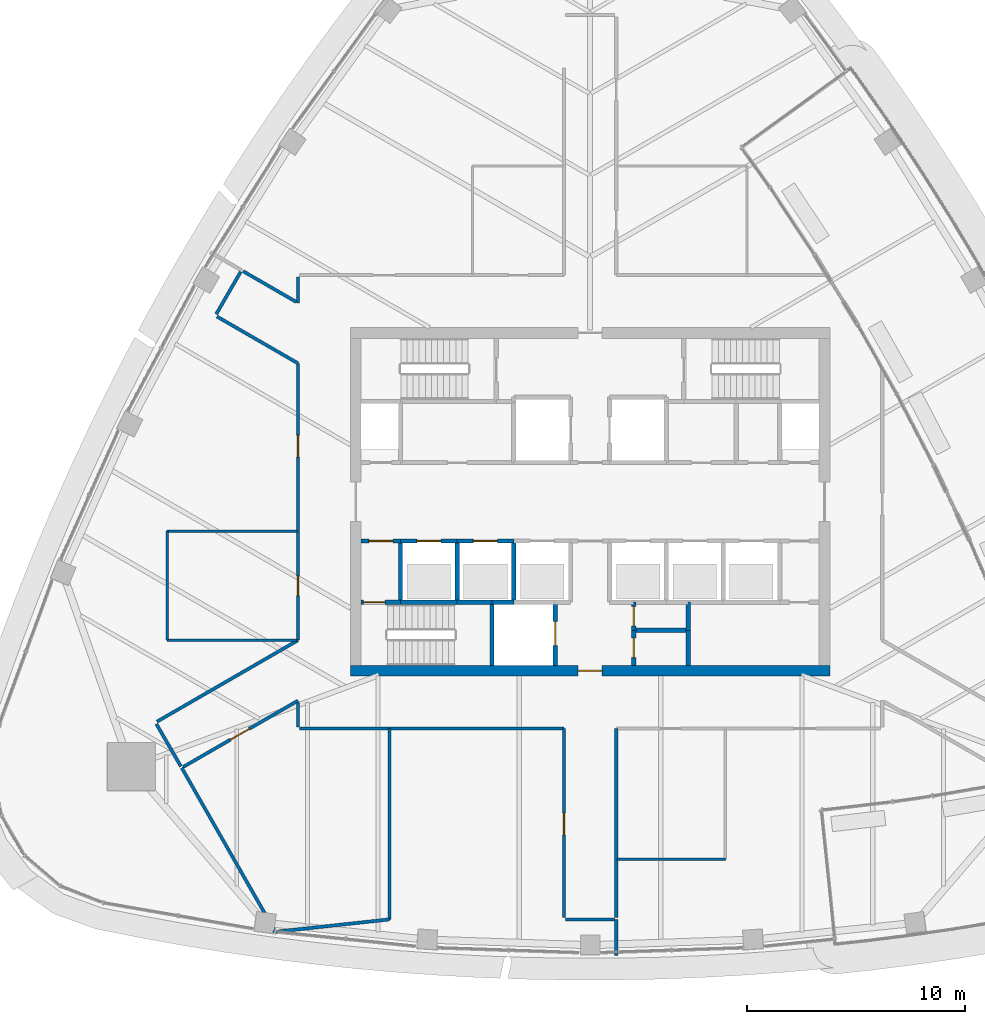
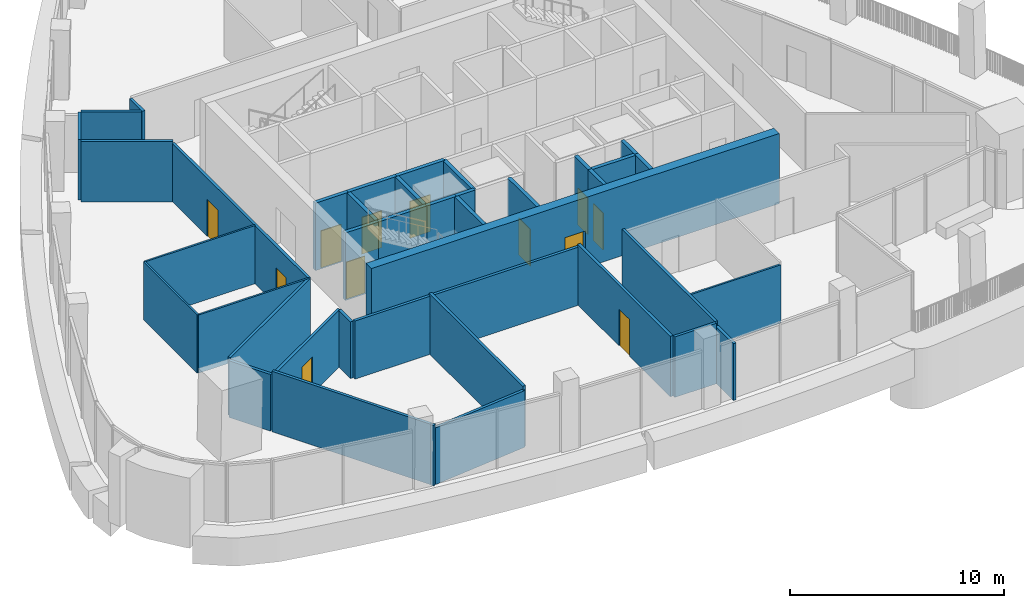
# One storey, part 11 of 20: 40 walls, 12 doors, 12 openings.
"""IFC4 building model written with IfcOpenShell, lengths in metres."""

from ifc_helpers import new_model, si_unit, direction, frame, frame_2d, origin, place, context, subcontext, project, spatial, rectangle, extrude, material, layer, layer_set, type_object, element, fill, save


model = new_model("IFC4")

# Units and contexts
model_context = context("Model", 3, precision=1e-05, world=origin(), true_north=direction((0.0, 1.0)))
body_context = subcontext(model_context, "Body", "Model", "MODEL_VIEW")
ifc_project = project(units=[si_unit("LENGTHUNIT", "METRE"), si_unit("AREAUNIT", "SQUARE_METRE"), si_unit("VOLUMEUNIT", "CUBIC_METRE"), si_unit("PLANEANGLEUNIT", "RADIAN"), si_unit("MASSUNIT", "GRAM", prefix="KILO")], contexts=[model_context])

# Site, building, storey
site_placement = place(None, origin())
site = spatial("IfcSite", under=ifc_project, at=site_placement, CompositionType="ELEMENT")
building_placement = place(site_placement, origin())
building = spatial("IfcBuilding", under=site, at=building_placement, Name="Sierra Prisma Convention Tower", CompositionType="ELEMENT")
storey_placement = place(building_placement, frame((0.0, 0.0, 275.0)))
storey = spatial("IfcBuildingStorey", under=building, at=storey_placement, Name="L62", CompositionType="ELEMENT", Elevation=275.0)

# Walls
ifc_material_1 = material(Name="Gypsum board partition", Category="gypsum")
ifc_layer_1 = layer(ifc_material_1, 0.10009765625)
ifc_layer_set_1 = layer_set([ifc_layer_1], Name="Bathroom partition 100")
wall_type_1 = type_object("IfcWallType", Name="Bathroom partition 100", PredefinedType="PARTITIONING", material=ifc_layer_set_1)
wall_1_placement = place(storey_placement, frame((-13.4599609375, -6.350830078125, 0.0), z_axis=(0.0, 0.0, 1.0), x_axis=(-1.0, 0.0, 0.0)))
element("IfcWall", 1, at=wall_1_placement, inside=storey, type_object=wall_type_1, Name="Partition L62 bath 1", PredefinedType="PARTITIONING", context=body_context, shape_type="SweptSolid", body=[
    extrude(rectangle(XDim=5.93994140625, YDim=0.10009765625, at=frame_2d((2.969970703125, 0.0))), origin(), (0.0, 0.0, 1.0), 3.31689453125),
])
wall_2_placement = place(storey_placement, frame((-19.39990234375, -6.350830078125, 0.0), z_axis=(0.0, 0.0, 1.0), x_axis=(0.0, 1.0, 0.0)))
element("IfcWall", 2, at=wall_2_placement, inside=storey, type_object=wall_type_1, Name="Partition L62 bath 2", PredefinedType="PARTITIONING", context=body_context, shape_type="SweptSolid", body=[
    extrude(rectangle(XDim=5.0, YDim=0.10009765625, at=frame_2d((2.5, 0.0))), origin(), (0.0, 0.0, 1.0), 3.31689453125),
])
wall_3_placement = place(storey_placement, frame((-19.39990234375, -1.350830078125, 0.0), z_axis=(0.0, 0.0, 1.0), x_axis=(1.0, 0.0, 0.0)))
element("IfcWall", 3, at=wall_3_placement, inside=storey, type_object=wall_type_1, Name="Partition L62 bath 3", PredefinedType="PARTITIONING", context=body_context, shape_type="SweptSolid", body=[
    extrude(rectangle(XDim=5.969970703125, YDim=0.10009765625, at=frame_2d((2.98486328125, 0.0))), origin(), (0.0, 0.0, 1.0), 3.31689453125),
])
wall_4_placement = place(storey_placement, frame((6.199951171875, -16.39990234375, 0.0), z_axis=(0.0, 0.0, 1.0), x_axis=(-1.0, 0.0, 0.0)))
element("IfcWall", 4, at=wall_4_placement, inside=storey, type_object=wall_type_1, Name="Partition L62 bath 7", PredefinedType="PARTITIONING", context=body_context, shape_type="SweptSolid", body=[
    extrude(rectangle(XDim=4.969970703125, YDim=0.10009765625, at=frame_2d((2.48486328125, 0.0))), origin(), (0.0, 0.0, 1.0), 3.31689453125),
])

# Wall, opening, door
ifc_material_2 = material(Name="Concrete C30/37", Category="concrete")
ifc_layer_2 = layer(ifc_material_2, 0.199951171875)
ifc_layer_set_2 = layer_set([ifc_layer_2], Name="Core wall RC 200 C30/37")
wall_type_2 = type_object("IfcWallType", Name="Core wall RC 200 C30/37", PredefinedType="SOLIDWALL", material=ifc_layer_set_2)
wall_5_placement = place(storey_placement, frame((-10.5, -4.60009765625, 0.0), z_axis=(0.0, 0.0, 1.0), x_axis=(1.0, 0.0, 0.0)))
wall_5 = element("IfcWall", 5, at=wall_5_placement, inside=storey, type_object=wall_type_2, Name="Core wall L62 1", PredefinedType="SOLIDWALL", context=body_context, shape_type="SweptSolid", body=[
    extrude(rectangle(XDim=1.800048828125, YDim=0.199951171875, at=frame_2d((0.89990234375, 0.0))), origin(), (0.0, 0.0, 1.0), 3.85009765625),
])
opening_1_placement = place(wall_5_placement, frame((0.10009765625, 0.0, 0.0)))
opening_1 = element("IfcOpeningElement", 6, at=opening_1_placement, cuts=wall_5, Name="Opening L62-D017", PredefinedType="OPENING", context=body_context, shape_type="SweptSolid", body=[
    extrude(rectangle(XDim=1.0, YDim=2.10009765625, at=frame_2d((0.5, 1.050048828125))), frame((0.0, 0.10009765625, 0.0), z_axis=(0.0, -1.0, 0.0), x_axis=(1.0, 0.0, 0.0)), (0.0, 0.0, 1.0), 0.199951171875),
])
ifc_material_3 = material(Name="Steel fire door leaf", Category="steel")
door_type_1 = type_object("IfcDoorType", Name="Door 1000x2100 FD90S", OperationType="SINGLE_SWING_LEFT", PredefinedType="DOOR", material=ifc_material_3)
door_1_placement = place(opening_1_placement, origin())
door_1 = element("IfcDoor", 7, at=door_1_placement, inside=storey, type_object=door_type_1, Name="Door L62 26", OperationType="SINGLE_SWING_LEFT", OverallHeight=2.10009765625, OverallWidth=1.0, PredefinedType="DOOR", context=body_context, shape_type="SweptSolid", body=[
    extrude(rectangle(XDim=1.0, YDim=2.10009765625, at=frame_2d((0.5, 1.050048828125))), frame((0.0, 0.02490234375, 0.0), z_axis=(0.0, -1.0, 0.0), x_axis=(1.0, 0.0, 0.0)), (0.0, 0.0, 1.0), 0.050048828125),
])
fill(opening_1, door_1)

wall_6_placement = place(storey_placement, frame((-10.5, -1.800048828125, 0.0), z_axis=(0.0, 0.0, 1.0), x_axis=(1.0, 0.0, 0.0)))
wall_6 = element("IfcWall", 8, at=wall_6_placement, inside=storey, type_object=wall_type_2, Name="Core wall L62 2", PredefinedType="SOLIDWALL", context=body_context, shape_type="SweptSolid", body=[
    extrude(rectangle(XDim=1.800048828125, YDim=0.199951171875, at=frame_2d((0.89990234375, 0.0))), origin(), (0.0, 0.0, 1.0), 3.85009765625),
])
opening_2_placement = place(wall_6_placement, frame((0.35009765625, 0.0, 0.0)))
opening_2 = element("IfcOpeningElement", 9, at=opening_2_placement, cuts=wall_6, Name="Opening L62-D012", PredefinedType="OPENING", context=body_context, shape_type="SweptSolid", body=[
    extrude(rectangle(XDim=1.10009765625, YDim=2.10009765625, at=frame_2d((0.550048828125, 1.050048828125))), frame((0.0, 0.10009765625, 0.0), z_axis=(0.0, -1.0, 0.0), x_axis=(1.0, 0.0, 0.0)), (0.0, 0.0, 1.0), 0.199951171875),
])
ifc_material_4 = material(Name="Steel fire door leaf", Category="steel")
door_type_2 = type_object("IfcDoorType", Name="Door 1100x2100 FD90S", OperationType="SINGLE_SWING_LEFT", PredefinedType="DOOR", material=ifc_material_4)
door_2_placement = place(opening_2_placement, origin())
door_2 = element("IfcDoor", 10, at=door_2_placement, inside=storey, type_object=door_type_2, Name="Door L62 21", OperationType="SINGLE_SWING_LEFT", OverallHeight=2.10009765625, OverallWidth=1.10009765625, PredefinedType="DOOR", context=body_context, shape_type="SweptSolid", body=[
    extrude(rectangle(XDim=1.10009765625, YDim=2.10009765625, at=frame_2d((0.550048828125, 1.050048828125))), frame((0.0, 0.02490234375, 0.0), z_axis=(0.0, -1.0, 0.0), x_axis=(1.0, 0.0, 0.0)), (0.0, 0.0, 1.0), 0.050048828125),
])
fill(opening_2, door_2)

# Walls
wall_7_placement = place(storey_placement, frame((-8.699951171875, -4.60009765625, 0.0), z_axis=(0.0, 0.0, 1.0), x_axis=(1.0, 0.0, 0.0)))
element("IfcWall", 11, at=wall_7_placement, inside=storey, type_object=wall_type_2, Name="Core wall L62 5", PredefinedType="SOLIDWALL", context=body_context, shape_type="SweptSolid", body=[
    extrude(rectangle(XDim=2.599853515625, YDim=0.199951171875, at=frame_2d((1.2998046875, 0.0))), origin(), (0.0, 0.0, 1.0), 3.85009765625),
])
wall_8_placement = place(storey_placement, frame((-8.699951171875, -4.60009765625, 0.0), z_axis=(0.0, 0.0, 1.0), x_axis=(0.0, 1.0, 0.0)))
element("IfcWall", 12, at=wall_8_placement, inside=storey, type_object=wall_type_2, Name="Core wall L62 6", PredefinedType="SOLIDWALL", context=body_context, shape_type="SweptSolid", body=[
    extrude(rectangle(XDim=2.800048828125, YDim=0.199951171875, at=frame_2d((1.39990234375, 0.0))), origin(), (0.0, 0.0, 1.0), 3.85009765625),
])

# Wall, opening, door
wall_9_placement = place(storey_placement, frame((-8.699951171875, -1.800048828125, 0.0), z_axis=(0.0, 0.0, 1.0), x_axis=(1.0, 0.0, 0.0)))
wall_9 = element("IfcWall", 13, at=wall_9_placement, inside=storey, type_object=wall_type_2, Name="Core wall L62 7", PredefinedType="SOLIDWALL", context=body_context, shape_type="SweptSolid", body=[
    extrude(rectangle(XDim=2.599853515625, YDim=0.199951171875, at=frame_2d((1.2998046875, 0.0))), origin(), (0.0, 0.0, 1.0), 3.85009765625),
])
opening_3_placement = place(wall_9_placement, frame((0.75, 0.0, 0.0)))
opening_3 = element("IfcOpeningElement", 14, at=opening_3_placement, cuts=wall_9, Name="Opening L62-D003", PredefinedType="OPENING", context=body_context, shape_type="SweptSolid", body=[
    extrude(rectangle(XDim=1.10009765625, YDim=2.10009765625, at=frame_2d((0.550048828125, 1.050048828125))), frame((0.0, 0.10009765625, 0.0), z_axis=(0.0, -1.0, 0.0), x_axis=(1.0, 0.0, 0.0)), (0.0, 0.0, 1.0), 0.199951171875),
])
ifc_material_5 = material(Name="Steel fire door leaf", Category="steel")
door_type_3 = type_object("IfcDoorType", Name="Door 1100x2100 EI 90 sliding lift landing", OperationType="SLIDING_TO_LEFT", PredefinedType="DOOR", material=ifc_material_5)
door_3_placement = place(opening_3_placement, origin())
door_3 = element("IfcDoor", 15, at=door_3_placement, inside=storey, type_object=door_type_3, Name="Door L62 12", OperationType="SLIDING_TO_LEFT", OverallHeight=2.10009765625, OverallWidth=1.10009765625, PredefinedType="DOOR", context=body_context, shape_type="SweptSolid", body=[
    extrude(rectangle(XDim=1.10009765625, YDim=2.10009765625, at=frame_2d((0.550048828125, 1.050048828125))), frame((0.0, 0.02490234375, 0.0), z_axis=(0.0, -1.0, 0.0), x_axis=(1.0, 0.0, 0.0)), (0.0, 0.0, 1.0), 0.050048828125),
])
fill(opening_3, door_3)

# Walls
wall_10_placement = place(storey_placement, frame((-6.10009765625, -4.60009765625, 0.0), z_axis=(0.0, 0.0, 1.0), x_axis=(1.0, 0.0, 0.0)))
element("IfcWall", 16, at=wall_10_placement, inside=storey, type_object=wall_type_2, Name="Core wall L62 11", PredefinedType="SOLIDWALL", context=body_context, shape_type="SweptSolid", body=[
    extrude(rectangle(XDim=1.60009765625, YDim=0.199951171875, at=frame_2d((0.800048828125, 0.0))), origin(), (0.0, 0.0, 1.0), 3.85009765625),
])
wall_11_placement = place(storey_placement, frame((-6.10009765625, -4.60009765625, 0.0), z_axis=(0.0, 0.0, 1.0), x_axis=(0.0, 1.0, 0.0)))
element("IfcWall", 17, at=wall_11_placement, inside=storey, type_object=wall_type_2, Name="Core wall L62 12", PredefinedType="SOLIDWALL", context=body_context, shape_type="SweptSolid", body=[
    extrude(rectangle(XDim=2.800048828125, YDim=0.199951171875, at=frame_2d((1.39990234375, 0.0))), origin(), (0.0, 0.0, 1.0), 3.85009765625),
])

# Wall, opening, door
wall_12_placement = place(storey_placement, frame((-6.10009765625, -1.800048828125, 0.0), z_axis=(0.0, 0.0, 1.0), x_axis=(1.0, 0.0, 0.0)))
wall_12 = element("IfcWall", 18, at=wall_12_placement, inside=storey, type_object=wall_type_2, Name="Core wall L62 13", PredefinedType="SOLIDWALL", context=body_context, shape_type="SweptSolid", body=[
    extrude(rectangle(XDim=2.60009765625, YDim=0.199951171875, at=frame_2d((1.300048828125, 0.0))), origin(), (0.0, 0.0, 1.0), 3.85009765625),
])
opening_4_placement = place(wall_12_placement, frame((0.75, 0.0, 0.0)))
opening_4 = element("IfcOpeningElement", 19, at=opening_4_placement, cuts=wall_12, Name="Opening L62-D004", PredefinedType="OPENING", context=body_context, shape_type="SweptSolid", body=[
    extrude(rectangle(XDim=1.10009765625, YDim=2.10009765625, at=frame_2d((0.550048828125, 1.050048828125))), frame((0.0, 0.10009765625, 0.0), z_axis=(0.0, -1.0, 0.0), x_axis=(1.0, 0.0, 0.0)), (0.0, 0.0, 1.0), 0.199951171875),
])
door_4_placement = place(opening_4_placement, origin())
door_4 = element("IfcDoor", 20, at=door_4_placement, inside=storey, type_object=door_type_3, Name="Door L62 13", OperationType="SLIDING_TO_LEFT", OverallHeight=2.10009765625, OverallWidth=1.10009765625, PredefinedType="DOOR", context=body_context, shape_type="SweptSolid", body=[
    extrude(rectangle(XDim=1.10009765625, YDim=2.10009765625, at=frame_2d((0.550048828125, 1.050048828125))), frame((0.0, 0.02490234375, 0.0), z_axis=(0.0, -1.0, 0.0), x_axis=(1.0, 0.0, 0.0)), (0.0, 0.0, 1.0), 0.050048828125),
])
fill(opening_4, door_4)

# Walls
wall_13_placement = place(storey_placement, frame((-4.5, -4.60009765625, 0.0), z_axis=(0.0, 0.0, 1.0), x_axis=(0.0, -1.0, 0.0)))
element("IfcWall", 21, at=wall_13_placement, inside=storey, type_object=wall_type_2, Name="Core wall L62 14", PredefinedType="SOLIDWALL", context=body_context, shape_type="SweptSolid", body=[
    extrude(rectangle(XDim=2.89990234375, YDim=0.199951171875, at=frame_2d((1.449951171875, 0.0))), origin(), (0.0, 0.0, 1.0), 3.85009765625),
])
wall_14_placement = place(storey_placement, frame((-4.5, -4.60009765625, 0.0), z_axis=(0.0, 0.0, 1.0), x_axis=(1.0, 0.0, 0.0)))
element("IfcWall", 22, at=wall_14_placement, inside=storey, type_object=wall_type_2, Name="Core wall L62 15", PredefinedType="SOLIDWALL", context=body_context, shape_type="SweptSolid", body=[
    extrude(rectangle(XDim=1.0, YDim=0.199951171875, at=frame_2d((0.5, 0.0))), origin(), (0.0, 0.0, 1.0), 3.85009765625),
])
wall_15_placement = place(storey_placement, frame((-3.5, -4.60009765625, 0.0), z_axis=(0.0, 0.0, 1.0), x_axis=(0.0, 1.0, 0.0)))
element("IfcWall", 23, at=wall_15_placement, inside=storey, type_object=wall_type_2, Name="Core wall L62 19", PredefinedType="SOLIDWALL", context=body_context, shape_type="SweptSolid", body=[
    extrude(rectangle(XDim=2.800048828125, YDim=0.199951171875, at=frame_2d((1.39990234375, 0.0))), origin(), (0.0, 0.0, 1.0), 3.85009765625),
])

# Wall, opening, door
wall_16_placement = place(storey_placement, frame((-1.60009765625, -7.5, 0.0), z_axis=(0.0, 0.0, 1.0), x_axis=(0.0, 1.0, 0.0)))
wall_16 = element("IfcWall", 24, at=wall_16_placement, inside=storey, type_object=wall_type_2, Name="Core wall L62 26", PredefinedType="SOLIDWALL", context=body_context, shape_type="SweptSolid", body=[
    extrude(rectangle(XDim=2.89990234375, YDim=0.199951171875, at=frame_2d((1.449951171875, 0.0))), origin(), (0.0, 0.0, 1.0), 3.85009765625),
])
opening_5_placement = place(wall_16_placement, frame((0.89990234375, 0.0, 0.0)))
opening_5 = element("IfcOpeningElement", 25, at=opening_5_placement, cuts=wall_16, Name="Opening L62-D011", PredefinedType="OPENING", context=body_context, shape_type="SweptSolid", body=[
    extrude(rectangle(XDim=1.10009765625, YDim=2.10009765625, at=frame_2d((0.550048828125, 1.050048828125))), frame((0.0, 0.10009765625, 0.0), z_axis=(0.0, -1.0, 0.0), x_axis=(1.0, 0.0, 0.0)), (0.0, 0.0, 1.0), 0.199951171875),
])
door_5_placement = place(opening_5_placement, origin())
door_5 = element("IfcDoor", 26, at=door_5_placement, inside=storey, type_object=door_type_3, Name="Door L62 20", OperationType="SLIDING_TO_LEFT", OverallHeight=2.10009765625, OverallWidth=1.10009765625, PredefinedType="DOOR", context=body_context, shape_type="SweptSolid", body=[
    extrude(rectangle(XDim=1.10009765625, YDim=2.10009765625, at=frame_2d((0.550048828125, 1.050048828125))), frame((0.0, 0.02490234375, 0.0), z_axis=(0.0, -1.0, 0.0), x_axis=(1.0, 0.0, 0.0)), (0.0, 0.0, 1.0), 0.050048828125),
])
fill(opening_5, door_5)

wall_17_placement = place(storey_placement, frame((2.0, -5.89990234375, 0.0), z_axis=(0.0, 0.0, 1.0), x_axis=(0.0, -1.0, 0.0)))
wall_17 = element("IfcWall", 27, at=wall_17_placement, inside=storey, type_object=wall_type_2, Name="Core wall L62 38", PredefinedType="SOLIDWALL", context=body_context, shape_type="SweptSolid", body=[
    extrude(rectangle(XDim=1.60009765625, YDim=0.199951171875, at=frame_2d((0.800048828125, 0.0))), origin(), (0.0, 0.0, 1.0), 3.85009765625),
])
opening_6_placement = place(wall_17_placement, frame((0.35009765625, 0.0, 0.0)))
opening_6 = element("IfcOpeningElement", 28, at=opening_6_placement, cuts=wall_17, Name="Opening L62-D025", PredefinedType="OPENING", context=body_context, shape_type="SweptSolid", body=[
    extrude(rectangle(XDim=0.89990234375, YDim=2.10009765625, at=frame_2d((0.449951171875, 1.050048828125))), frame((0.0, 0.10009765625, 0.0), z_axis=(0.0, -1.0, 0.0), x_axis=(1.0, 0.0, 0.0)), (0.0, 0.0, 1.0), 0.199951171875),
])
ifc_material_6 = material(Name="Steel fire door leaf", Category="steel")
door_type_4 = type_object("IfcDoorType", Name="Door 900x2100 FD30S", OperationType="SINGLE_SWING_LEFT", PredefinedType="DOOR", material=ifc_material_6)
door_6_placement = place(opening_6_placement, origin())
door_6 = element("IfcDoor", 29, at=door_6_placement, inside=storey, type_object=door_type_4, Name="Door L62 34", OperationType="SINGLE_SWING_RIGHT", OverallHeight=2.10009765625, OverallWidth=0.89990234375, PredefinedType="DOOR", context=body_context, shape_type="SweptSolid", body=[
    extrude(rectangle(XDim=0.89990234375, YDim=2.10009765625, at=frame_2d((0.449951171875, 1.050048828125))), frame((0.0, 0.02490234375, 0.0), z_axis=(0.0, -1.0, 0.0), x_axis=(1.0, 0.0, 0.0)), (0.0, 0.0, 1.0), 0.050048828125),
])
fill(opening_6, door_6)

# Wall
wall_18_placement = place(storey_placement, frame((4.5, -5.89990234375, 0.0), z_axis=(0.0, 0.0, 1.0), x_axis=(-1.0, 0.0, 0.0)))
element("IfcWall", 30, at=wall_18_placement, inside=storey, type_object=wall_type_2, Name="Core wall L62 39", PredefinedType="SOLIDWALL", context=body_context, shape_type="SweptSolid", body=[
    extrude(rectangle(XDim=2.5, YDim=0.199951171875, at=frame_2d((1.25, 0.0))), origin(), (0.0, 0.0, 1.0), 3.85009765625),
])

# Wall, opening, door
wall_19_placement = place(storey_placement, frame((2.0, -4.60009765625, 0.0), z_axis=(0.0, 0.0, 1.0), x_axis=(0.0, -1.0, 0.0)))
wall_19 = element("IfcWall", 31, at=wall_19_placement, inside=storey, type_object=wall_type_2, Name="Core wall L62 40", PredefinedType="SOLIDWALL", context=body_context, shape_type="SweptSolid", body=[
    extrude(rectangle(XDim=1.2998046875, YDim=0.199951171875, at=frame_2d((0.64990234375, 0.0))), origin(), (0.0, 0.0, 1.0), 3.85009765625),
])
opening_7_placement = place(wall_19_placement, frame((0.199951171875, 0.0, 0.0)))
opening_7 = element("IfcOpeningElement", 32, at=opening_7_placement, cuts=wall_19, Name="Opening L62-D026", PredefinedType="OPENING", context=body_context, shape_type="SweptSolid", body=[
    extrude(rectangle(XDim=0.89990234375, YDim=2.10009765625, at=frame_2d((0.449951171875, 1.050048828125))), frame((0.0, 0.10009765625, 0.0), z_axis=(0.0, -1.0, 0.0), x_axis=(1.0, 0.0, 0.0)), (0.0, 0.0, 1.0), 0.199951171875),
])
door_7_placement = place(opening_7_placement, origin())
door_7 = element("IfcDoor", 33, at=door_7_placement, inside=storey, type_object=door_type_4, Name="Door L62 35", OperationType="SINGLE_SWING_RIGHT", OverallHeight=2.10009765625, OverallWidth=0.89990234375, PredefinedType="DOOR", context=body_context, shape_type="SweptSolid", body=[
    extrude(rectangle(XDim=0.89990234375, YDim=2.10009765625, at=frame_2d((0.449951171875, 1.050048828125))), frame((0.0, 0.02490234375, 0.0), z_axis=(0.0, -1.0, 0.0), x_axis=(1.0, 0.0, 0.0)), (0.0, 0.0, 1.0), 0.050048828125),
])
fill(opening_7, door_7)

# Walls
wall_20_placement = place(storey_placement, frame((4.5, -5.89990234375, 0.0), z_axis=(0.0, 0.0, 1.0), x_axis=(0.0, -1.0, 0.0)))
element("IfcWall", 34, at=wall_20_placement, inside=storey, type_object=wall_type_2, Name="Core wall L62 50", PredefinedType="SOLIDWALL", context=body_context, shape_type="SweptSolid", body=[
    extrude(rectangle(XDim=1.60009765625, YDim=0.199951171875, at=frame_2d((0.800048828125, 0.0))), origin(), (0.0, 0.0, 1.0), 3.85009765625),
])
wall_21_placement = place(storey_placement, frame((4.5, -4.60009765625, 0.0), z_axis=(0.0, 0.0, 1.0), x_axis=(0.0, -1.0, 0.0)))
element("IfcWall", 35, at=wall_21_placement, inside=storey, type_object=wall_type_2, Name="Core wall L62 51", PredefinedType="SOLIDWALL", context=body_context, shape_type="SweptSolid", body=[
    extrude(rectangle(XDim=1.2998046875, YDim=0.199951171875, at=frame_2d((0.64990234375, 0.0))), origin(), (0.0, 0.0, 1.0), 3.85009765625),
])

# Wall, opening, door
ifc_material_7 = material(Name="Concrete C50/60", Category="concrete")
ifc_layer_3 = layer(ifc_material_7, 0.5)
ifc_layer_set_3 = layer_set([ifc_layer_3], Name="Core wall RC 500 C50/60")
wall_type_3 = type_object("IfcWallType", Name="Core wall RC 500 C50/60", PredefinedType="SHEAR", material=ifc_layer_set_3)
wall_22_placement = place(storey_placement, frame((-11.0, -7.75, 0.0), z_axis=(0.0, 0.0, 1.0), x_axis=(1.0, 0.0, 0.0)))
wall_22 = element("IfcWall", 36, at=wall_22_placement, inside=storey, type_object=wall_type_3, Name="Core wall S L62", PredefinedType="SHEAR", context=body_context, shape_type="SweptSolid", body=[
    extrude(rectangle(XDim=22.0, YDim=0.5, at=frame_2d((11.0, 0.0))), origin(), (0.0, 0.0, 1.0), 4.0),
])
opening_8_placement = place(wall_22_placement, frame((10.449951171875, 0.0, 0.0)))
opening_8 = element("IfcOpeningElement", 37, at=opening_8_placement, cuts=wall_22, Name="Opening L62-D040", PredefinedType="OPENING", context=body_context, shape_type="SweptSolid", body=[
    extrude(rectangle(XDim=1.10009765625, YDim=2.10009765625, at=frame_2d((0.550048828125, 1.050048828125))), frame((0.0, 0.25, 0.0), z_axis=(0.0, -1.0, 0.0), x_axis=(1.0, 0.0, 0.0)), (0.0, 0.0, 1.0), 0.5),
])
ifc_material_8 = material(Name="Steel fire door leaf", Category="steel")
door_type_5 = type_object("IfcDoorType", Name="Door 1100x2100 FD30S", OperationType="SINGLE_SWING_LEFT", PredefinedType="DOOR", material=ifc_material_8)
door_8_placement = place(opening_8_placement, origin())
door_8 = element("IfcDoor", 38, at=door_8_placement, inside=storey, type_object=door_type_5, Name="Door L62 39", OperationType="SINGLE_SWING_RIGHT", OverallHeight=2.10009765625, OverallWidth=1.10009765625, PredefinedType="DOOR", context=body_context, shape_type="SweptSolid", body=[
    extrude(rectangle(XDim=1.10009765625, YDim=2.10009765625, at=frame_2d((0.550048828125, 1.050048828125))), frame((0.0, 0.02490234375, 0.0), z_axis=(0.0, -1.0, 0.0), x_axis=(1.0, 0.0, 0.0)), (0.0, 0.0, 1.0), 0.050048828125),
])
fill(opening_8, door_8)

# Walls
ifc_material_9 = material(Name="Gypsum board partition", Category="gypsum")
ifc_layer_4 = layer(ifc_material_9, 0.14990234375)
ifc_layer_set_4 = layer_set([ifc_layer_4], Name="Corridor wall 150 gypsum EI 60")
wall_type_4 = type_object("IfcWallType", Name="Corridor wall 150 gypsum EI 60", PredefinedType="PARTITIONING", material=ifc_layer_set_4)
wall_23_placement = place(storey_placement, frame((-19.89453125, -10.19287109375, 0.0), z_axis=(0.0, 0.0, 1.0), x_axis=(0.49994888933, -0.866054910533, 0.0)))
element("IfcWall", 39, at=wall_23_placement, inside=storey, type_object=wall_type_4, Name="Partition L62 corr 1", PredefinedType="PARTITIONING", context=body_context, shape_type="SweptSolid", body=[
    extrude(rectangle(XDim=2.239990234375, YDim=0.14990234375, at=frame_2d((1.1201171875, 0.0))), origin(), (0.0, 0.0, 1.0), 3.23291015625),
])
wall_24_placement = place(storey_placement, frame((-17.1201171875, 8.49853515625, 0.0), z_axis=(0.0, 0.0, 1.0), x_axis=(0.866041729639, -0.499971721724, 0.0)))
element("IfcWall", 40, at=wall_24_placement, inside=storey, type_object=wall_type_4, Name="Partition L62 corr 2", PredefinedType="PARTITIONING", context=body_context, shape_type="SweptSolid", body=[
    extrude(rectangle(XDim=4.295654296875, YDim=0.14990234375, at=frame_2d((2.14794921875, 0.0))), origin(), (0.0, 0.0, 1.0), 3.449951171875),
])

# Wall, openings, doors
wall_25_placement = place(storey_placement, frame((-13.39990234375, 6.350830078125, 0.0), z_axis=(0.0, 0.0, 1.0), x_axis=(0.0, -1.0, 0.0)))
wall_25 = element("IfcWall", 41, at=wall_25_placement, inside=storey, type_object=wall_type_4, Name="Partition L62 corr 3", PredefinedType="PARTITIONING", context=body_context, shape_type="SweptSolid", body=[
    extrude(rectangle(XDim=12.70166015625, YDim=0.14990234375, at=frame_2d((6.350830078125, 0.0))), origin(), (0.0, 0.0, 1.0), 3.31689453125),
])
opening_9_placement = place(wall_25_placement, frame((9.751708984375, 0.0, 0.0)))
opening_9 = element("IfcOpeningElement", 42, at=opening_9_placement, cuts=wall_25, Name="Opening L62-D031", PredefinedType="OPENING", context=body_context, shape_type="SweptSolid", body=[
    extrude(rectangle(XDim=0.89990234375, YDim=2.10009765625, at=frame_2d((0.449951171875, 1.050048828125))), frame((0.0, 0.074951171875, 0.0), z_axis=(0.0, -1.0, 0.0), x_axis=(1.0, 0.0, 0.0)), (0.0, 0.0, 1.0), 0.14990234375),
])
opening_10_placement = place(wall_25_placement, frame((3.30078125, 0.0, 0.0)))
opening_10 = element("IfcOpeningElement", 43, at=opening_10_placement, cuts=wall_25, Name="Opening L62-D032", PredefinedType="OPENING", context=body_context, shape_type="SweptSolid", body=[
    extrude(rectangle(XDim=1.0, YDim=2.10009765625, at=frame_2d((0.5, 1.050048828125))), frame((0.0, 0.074951171875, 0.0), z_axis=(0.0, -1.0, 0.0), x_axis=(1.0, 0.0, 0.0)), (0.0, 0.0, 1.0), 0.14990234375),
])
ifc_material_10 = material(Name="Steel fire door leaf", Category="steel")
door_type_6 = type_object("IfcDoorType", Name="Door 1000x2100 FD30S", OperationType="SINGLE_SWING_LEFT", PredefinedType="DOOR", material=ifc_material_10)
door_9_placement = place(opening_10_placement, origin())
door_9 = element("IfcDoor", 44, at=door_9_placement, inside=storey, type_object=door_type_6, Name="Door L62 6", OperationType="SINGLE_SWING_LEFT", OverallHeight=2.10009765625, OverallWidth=1.0, PredefinedType="DOOR", context=body_context, shape_type="SweptSolid", body=[
    extrude(rectangle(XDim=1.0, YDim=2.10009765625, at=frame_2d((0.5, 1.050048828125))), frame((0.0, 0.02490234375, 0.0), z_axis=(0.0, -1.0, 0.0), x_axis=(1.0, 0.0, 0.0)), (0.0, 0.0, 1.0), 0.050048828125),
])
fill(opening_10, door_9)
door_10_placement = place(opening_9_placement, origin())
door_10 = element("IfcDoor", 45, at=door_10_placement, inside=storey, type_object=door_type_4, Name="Door L62 5", OperationType="SINGLE_SWING_LEFT", OverallHeight=2.10009765625, OverallWidth=0.89990234375, PredefinedType="DOOR", context=body_context, shape_type="SweptSolid", body=[
    extrude(rectangle(XDim=0.89990234375, YDim=2.10009765625, at=frame_2d((0.449951171875, 1.050048828125))), frame((0.0, 0.02490234375, 0.0), z_axis=(0.0, -1.0, 0.0), x_axis=(1.0, 0.0, 0.0)), (0.0, 0.0, 1.0), 0.050048828125),
])
fill(opening_9, door_10)

# Wall
wall_26_placement = place(storey_placement, frame((-13.39990234375, -6.350830078125, 0.0), z_axis=(0.0, 0.0, 1.0), x_axis=(-0.86603092396, -0.499990438654, 0.0)))
element("IfcWall", 46, at=wall_26_placement, inside=storey, type_object=wall_type_4, Name="Partition L62 corr 4", PredefinedType="PARTITIONING", context=body_context, shape_type="SweptSolid", body=[
    extrude(rectangle(XDim=7.465576171875, YDim=0.14990234375, at=frame_2d((3.73291015625, 0.0))), origin(), (0.0, 0.0, 1.0), 3.31689453125),
])

# Wall, opening, door
wall_27_placement = place(storey_placement, frame((-18.665283203125, -12.162109375, 0.0), z_axis=(0.0, 0.0, 1.0), x_axis=(0.866020417952, 0.500008635616, 0.0)))
wall_27 = element("IfcWall", 47, at=wall_27_placement, inside=storey, type_object=wall_type_4, Name="Partition L62 corr 5", PredefinedType="PARTITIONING", context=body_context, shape_type="SweptSolid", body=[
    extrude(rectangle(XDim=6.080078125, YDim=0.14990234375, at=frame_2d((3.0400390625, 0.0))), origin(), (0.0, 0.0, 1.0), 3.23291015625),
])
opening_11_placement = place(wall_27_placement, frame((2.5, 0.0, 0.0)))
opening_11 = element("IfcOpeningElement", 48, at=opening_11_placement, cuts=wall_27, Name="Opening L62-D033", PredefinedType="OPENING", context=body_context, shape_type="SweptSolid", body=[
    extrude(rectangle(XDim=1.0, YDim=2.10009765625, at=frame_2d((0.5, 1.050048828125))), frame((0.0, 0.074951171875, 0.0), z_axis=(0.0, -1.0, 0.0), x_axis=(1.0, 0.0, 0.0)), (0.0, 0.0, 1.0), 0.14990234375),
])
door_11_placement = place(opening_11_placement, origin())
door_11 = element("IfcDoor", 49, at=door_11_placement, inside=storey, type_object=door_type_6, Name="Door L62 7", OperationType="SINGLE_SWING_LEFT", OverallHeight=2.10009765625, OverallWidth=1.0, PredefinedType="DOOR", context=body_context, shape_type="SweptSolid", body=[
    extrude(rectangle(XDim=1.0, YDim=2.10009765625, at=frame_2d((0.5, 1.050048828125))), frame((0.0, 0.02490234375, 0.0), z_axis=(0.0, -1.0, 0.0), x_axis=(1.0, 0.0, 0.0)), (0.0, 0.0, 1.0), 0.050048828125),
])
fill(opening_11, door_11)

# Walls
wall_28_placement = place(storey_placement, frame((-13.39990234375, -9.213623046875, 0.0), z_axis=(0.0, 0.0, 1.0), x_axis=(0.0, -1.0, 0.0)))
element("IfcWall", 50, at=wall_28_placement, inside=storey, type_object=wall_type_4, Name="Partition L62 corr 6", PredefinedType="PARTITIONING", context=body_context, shape_type="SweptSolid", body=[
    extrude(rectangle(XDim=1.1064453125, YDim=0.14990234375, at=frame_2d((0.55322265625, 0.0))), origin(), (0.0, 0.0, 1.0), 3.23291015625),
])
wall_29_placement = place(storey_placement, frame((-16.029296875, 10.5478515625, 0.0), z_axis=(0.0, 0.0, 1.0), x_axis=(-0.49994888933, -0.866054910533, 0.0)))
element("IfcWall", 51, at=wall_29_placement, inside=storey, type_object=wall_type_4, Name="Partition L62 corr 7", PredefinedType="PARTITIONING", context=body_context, shape_type="SweptSolid", body=[
    extrude(rectangle(XDim=2.239990234375, YDim=0.14990234375, at=frame_2d((1.1201171875, 0.0))), origin(), (0.0, 0.0, 1.0), 3.449951171875),
])
wall_30_placement = place(storey_placement, frame((-13.39990234375, 10.320068359375, 0.0), z_axis=(0.0, 0.0, 1.0), x_axis=(0.0, -1.0, 0.0)))
element("IfcWall", 52, at=wall_30_placement, inside=storey, type_object=wall_type_4, Name="Partition L62 corr 8", PredefinedType="PARTITIONING", context=body_context, shape_type="SweptSolid", body=[
    extrude(rectangle(XDim=1.197998046875, YDim=0.14990234375, at=frame_2d((0.59912109375, 0.0))), origin(), (0.0, 0.0, 1.0), 3.449951171875),
])
wall_31_placement = place(storey_placement, frame((-13.479248046875, 9.16796875, 0.0), z_axis=(0.0, 0.0, 1.0), x_axis=(-0.866054311015, 0.499949927865, 0.0)))
element("IfcWall", 53, at=wall_31_placement, inside=storey, type_object=wall_type_4, Name="Partition L62 corr 9", PredefinedType="PARTITIONING", context=body_context, shape_type="SweptSolid", body=[
    extrude(rectangle(XDim=2.818115234375, YDim=0.14990234375, at=frame_2d((1.4091796875, 0.0))), origin(), (0.0, 0.0, 1.0), 3.449951171875),
])
wall_32_placement = place(storey_placement, frame((-13.320068359375, -10.39990234375, 0.0), z_axis=(0.0, 0.0, 1.0), x_axis=(1.0, 0.0, 0.0)))
element("IfcWall", 54, at=wall_32_placement, inside=storey, type_object=wall_type_4, Name="Partition L62 corr 10", PredefinedType="PARTITIONING", context=body_context, shape_type="SweptSolid", body=[
    extrude(rectangle(XDim=12.1201171875, YDim=0.14990234375, at=frame_2d((6.06005859375, 0.0))), origin(), (0.0, 0.0, 1.0), 3.31689453125),
])

# Wall, opening, door
wall_33_placement = place(storey_placement, frame((-1.199951171875, -10.39990234375, 0.0), z_axis=(0.0, 0.0, 1.0), x_axis=(0.0, -1.0, 0.0)))
wall_33 = element("IfcWall", 55, at=wall_33_placement, inside=storey, type_object=wall_type_4, Name="Partition L62 corr 11", PredefinedType="PARTITIONING", context=body_context, shape_type="SweptSolid", body=[
    extrude(rectangle(XDim=8.67578125, YDim=0.14990234375, at=frame_2d((4.337890625, 0.0))), origin(), (0.0, 0.0, 1.0), 3.449951171875),
])
opening_12_placement = place(wall_33_placement, frame((3.877685546875, 0.0, 0.0)))
opening_12 = element("IfcOpeningElement", 56, at=opening_12_placement, cuts=wall_33, Name="Opening L62-D034", PredefinedType="OPENING", context=body_context, shape_type="SweptSolid", body=[
    extrude(rectangle(XDim=1.0, YDim=2.10009765625, at=frame_2d((0.5, 1.050048828125))), frame((0.0, 0.074951171875, 0.0), z_axis=(0.0, -1.0, 0.0), x_axis=(1.0, 0.0, 0.0)), (0.0, 0.0, 1.0), 0.14990234375),
])
door_12_placement = place(opening_12_placement, origin())
door_12 = element("IfcDoor", 57, at=door_12_placement, inside=storey, type_object=door_type_6, Name="Door L62 8", OperationType="SINGLE_SWING_RIGHT", OverallHeight=2.10009765625, OverallWidth=1.0, PredefinedType="DOOR", context=body_context, shape_type="SweptSolid", body=[
    extrude(rectangle(XDim=1.0, YDim=2.10009765625, at=frame_2d((0.5, 1.050048828125))), frame((0.0, 0.02490234375, 0.0), z_axis=(0.0, -1.0, 0.0), x_axis=(1.0, 0.0, 0.0)), (0.0, 0.0, 1.0), 0.050048828125),
])
fill(opening_12, door_12)

# Walls
wall_34_placement = place(storey_placement, frame((-1.1201171875, -19.155517578125, 0.0), z_axis=(0.0, 0.0, 1.0), x_axis=(1.0, 0.0, 0.0)))
element("IfcWall", 58, at=wall_34_placement, inside=storey, type_object=wall_type_4, Name="Partition L62 corr 14", PredefinedType="PARTITIONING", context=body_context, shape_type="SweptSolid", body=[
    extrude(rectangle(XDim=2.240234375, YDim=0.14990234375, at=frame_2d((1.1201171875, 0.0))), origin(), (0.0, 0.0, 1.0), 3.449951171875),
])
wall_35_placement = place(storey_placement, frame((1.199951171875, -19.07568359375, 0.0), z_axis=(0.0, 0.0, 1.0), x_axis=(0.0, 1.0, 0.0)))
element("IfcWall", 59, at=wall_35_placement, inside=storey, type_object=wall_type_4, Name="Partition L62 corr 16", PredefinedType="PARTITIONING", context=body_context, shape_type="SweptSolid", body=[
    extrude(rectangle(XDim=8.67578125, YDim=0.14990234375, at=frame_2d((4.337890625, 0.0))), origin(), (0.0, 0.0, 1.0), 3.449951171875),
])
ifc_material_11 = material(Name="Gypsum board partition", Category="gypsum")
ifc_layer_5 = layer(ifc_material_11, 0.14990234375)
ifc_layer_set_5 = layer_set([ifc_layer_5], Name="Party wall 150 gypsum")
wall_type_5 = type_object("IfcWallType", Name="Party wall 150 gypsum", PredefinedType="PARTITIONING", material=ifc_layer_set_5)
wall_36_placement = place(storey_placement, frame((-18.734619140625, -12.2021484375, 0.0), z_axis=(0.0, 0.0, 1.0), x_axis=(0.495972918393, -0.868337989622, 0.0)))
element("IfcWall", 60, at=wall_36_placement, inside=storey, type_object=wall_type_5, Name="Partition L62 party 1", PredefinedType="PARTITIONING", context=body_context, shape_type="SweptSolid", body=[
    extrude(rectangle(XDim=8.55224609375, YDim=0.14990234375, at=frame_2d((4.276123046875, 0.0))), origin(), (0.0, 0.0, 1.0), 3.449951171875),
])
wall_37_placement = place(storey_placement, frame((-9.199951171875, -10.39990234375, 0.0), z_axis=(0.0, 0.0, 1.0), x_axis=(0.0, -1.0, 0.0)))
element("IfcWall", 61, at=wall_37_placement, inside=storey, type_object=wall_type_5, Name="Partition L62 party 3", PredefinedType="PARTITIONING", context=body_context, shape_type="SweptSolid", body=[
    extrude(rectangle(XDim=8.755615234375, YDim=0.14990234375, at=frame_2d((4.3779296875, 0.0))), origin(), (0.0, 0.0, 1.0), 3.449951171875),
])
wall_38_placement = place(storey_placement, frame((-9.199951171875, -19.155517578125, 0.0), z_axis=(0.0, 0.0, 1.0), x_axis=(-0.994133216404, -0.108162600019, 0.0)))
element("IfcWall", 62, at=wall_38_placement, inside=storey, type_object=wall_type_5, Name="Partition L62 party 4", PredefinedType="PARTITIONING", context=body_context, shape_type="SweptSolid", body=[
    extrude(rectangle(XDim=5.17333984375, YDim=0.14990234375, at=frame_2d((2.586669921875, 0.0))), origin(), (0.0, 0.0, 1.0), 3.23388671875),
])
wall_39_placement = place(storey_placement, frame((-14.39306640625, -19.8017578125, 0.0), z_axis=(0.0, 0.0, 1.0), x_axis=(-0.639087334009, 0.769134175232, 0.0)))
element("IfcWall", 63, at=wall_39_placement, inside=storey, type_object=wall_type_5, Name="Partition L62 party 5", PredefinedType="PARTITIONING", context=body_context, shape_type="SweptSolid", body=[
    extrude(rectangle(XDim=0.197021484375, YDim=0.14990234375, at=frame_2d((0.0986328125, 0.0))), origin(), (0.0, 0.0, 1.0), 3.449951171875),
])
wall_40_placement = place(storey_placement, frame((1.199951171875, -19.155517578125, 0.0), z_axis=(0.0, 0.0, 1.0), x_axis=(0.0, -1.0, 0.0)))
element("IfcWall", 64, at=wall_40_placement, inside=storey, type_object=wall_type_5, Name="Partition L62 party 7", PredefinedType="PARTITIONING", context=body_context, shape_type="SweptSolid", body=[
    extrude(rectangle(XDim=1.65625, YDim=0.14990234375, at=frame_2d((0.828125, 0.0))), origin(), (0.0, 0.0, 1.0), 3.23388671875),
])

save(model, "model.ifc")
